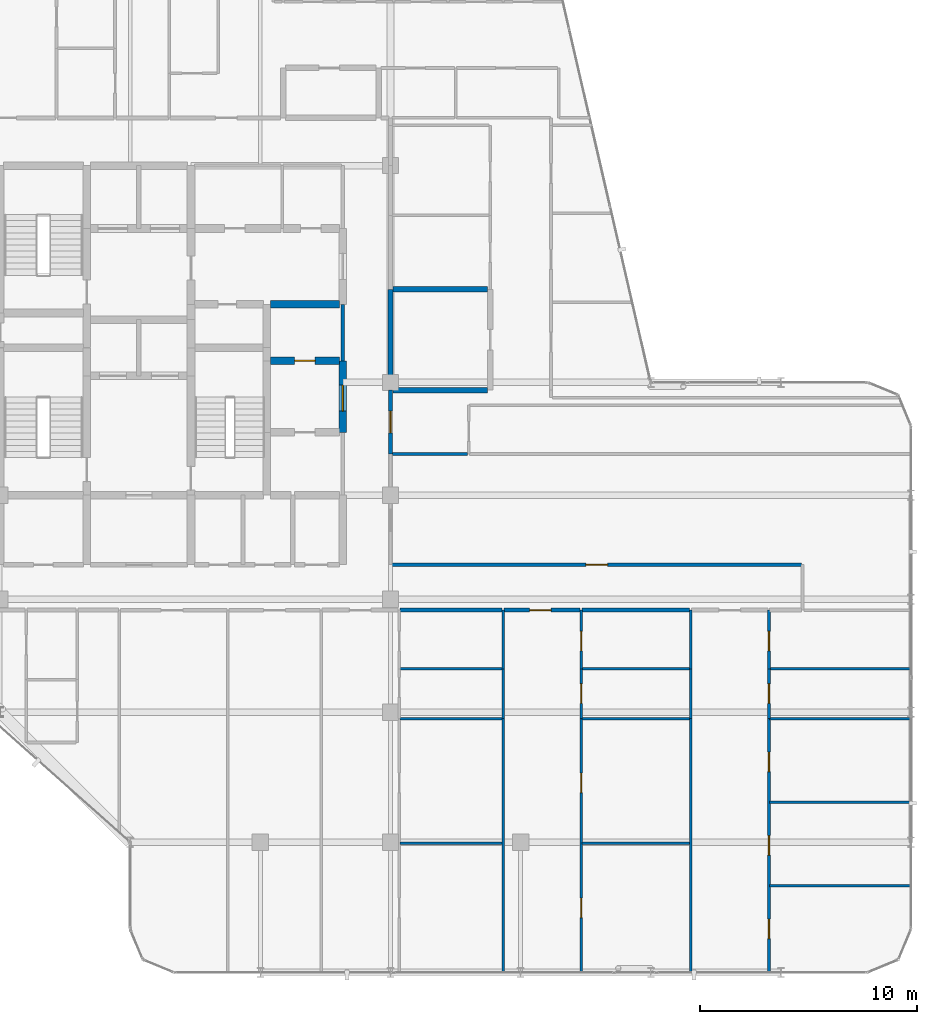
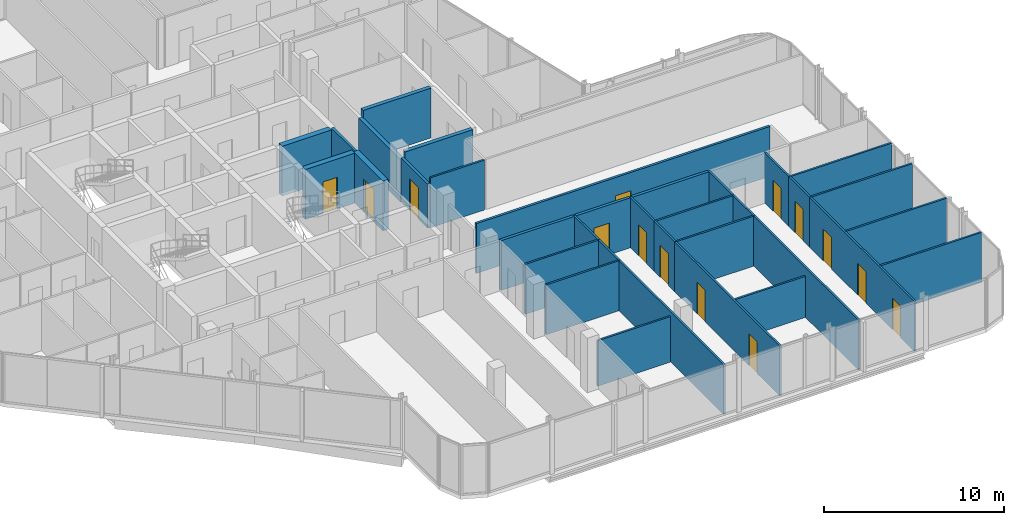
# One storey, part 25 of 29: 35 walls, 14 doors, 14 openings.
"""IFC4 building model written with IfcOpenShell, lengths in metres."""

from ifc_helpers import new_model, si_unit, direction, frame, frame_2d, origin, place, context, subcontext, project, spatial, rectangle, extrude, material, layer, layer_set, type_object, element, fill, save


model = new_model("IFC4")

# Units and contexts
model_context = context("Model", 3, precision=1e-05, world=origin(), true_north=direction((0.0, 1.0)))
body_context = subcontext(model_context, "Body", "Model", "MODEL_VIEW")
ifc_project = project(units=[si_unit("LENGTHUNIT", "METRE"), si_unit("AREAUNIT", "SQUARE_METRE"), si_unit("VOLUMEUNIT", "CUBIC_METRE"), si_unit("PLANEANGLEUNIT", "RADIAN"), si_unit("MASSUNIT", "GRAM", prefix="KILO")], contexts=[model_context])

# Site, building, storey
site_placement = place(None, origin())
site = spatial("IfcSite", under=ifc_project, at=site_placement, CompositionType="ELEMENT")
building_placement = place(site_placement, origin())
building = spatial("IfcBuilding", under=site, at=building_placement, Name="Keshet Zoharim Tower", CompositionType="ELEMENT")
storey_placement = place(building_placement, frame((0.0, 0.0, 226.5)))
storey = spatial("IfcBuildingStorey", under=building, at=storey_placement, Name="L56", CompositionType="ELEMENT", Elevation=226.5)

# Wall
ifc_material_1 = material(Name="Gypsum Plasterboard", Category="gypsum")
ifc_layer_1 = layer(ifc_material_1, 0.14990234375)
ifc_layer_set_1 = layer_set([ifc_layer_1], Name="Gypsum Plasterboard")
wall_type_1 = type_object("IfcWallType", Name="WL-CLIN-150", PredefinedType="STANDARD", material=ifc_layer_set_1)
wall_1_placement = place(storey_placement, frame((30.800048828125, 28.89990234375, 0.0), z_axis=(0.0, 0.0, 1.0), x_axis=(0.0, 1.0, 0.0)))
element("IfcWall", 1, at=wall_1_placement, inside=storey, type_object=wall_type_1, Name="L56 Interior Wall 059", PredefinedType="STANDARD", context=body_context, shape_type="SweptSolid", body=[
    extrude(rectangle(XDim=2.60009765625, YDim=0.14990234375, at=frame_2d((1.300048828125, 0.0))), origin(), (0.0, 0.0, 1.0), 3.389892578125),
])

# Wall, opening, door
wall_2_placement = place(storey_placement, frame((33.070068359375, 19.5, 0.0), z_axis=(0.0, 0.0, 1.0), x_axis=(1.0, 0.0, 0.0)))
wall_2 = element("IfcWall", 2, at=wall_2_placement, inside=storey, type_object=wall_type_1, Name="L56 Interior Wall 126", PredefinedType="STANDARD", context=body_context, shape_type="SweptSolid", body=[
    extrude(rectangle(XDim=18.869873046875, YDim=0.14990234375, at=frame_2d((9.43505859375, 0.0))), origin(), (0.0, 0.0, 1.0), 3.389892578125),
])
opening_1_placement = place(wall_2_placement, frame((8.93505859375, 0.0, 0.0)))
opening_1 = element("IfcOpeningElement", 3, at=opening_1_placement, cuts=wall_2, Name="Opening D-F310", PredefinedType="OPENING", context=body_context, shape_type="SweptSolid", body=[
    extrude(rectangle(XDim=1.0, YDim=2.14990234375, at=frame_2d((0.5, 1.074951171875))), frame((0.0, 0.0849609375, 0.0), z_axis=(0.0, -1.0, 0.0), x_axis=(1.0, 0.0, 0.0)), (0.0, 0.0, 1.0), 0.169921875),
])
ifc_material_2 = material(Name="Hardwood Timber", Category="wood")
door_type_1 = type_object("IfcDoorType", Name="DR-FD30-100", OperationType="NOTDEFINED", PredefinedType="DOOR", material=ifc_material_2)
door_1_placement = place(opening_1_placement, origin())
door_1 = element("IfcDoor", 4, at=door_1_placement, inside=storey, type_object=door_type_1, Name="L56 South East Residents Services Suite Door 1", OperationType="SINGLE_SWING_LEFT", OverallHeight=2.14990234375, OverallWidth=1.0, PredefinedType="DOOR", context=body_context, shape_type="SweptSolid", body=[
    extrude(rectangle(XDim=1.0, YDim=2.14990234375, at=frame_2d((0.5, 1.074951171875))), frame((0.0, 0.02490234375, 0.0), z_axis=(0.0, -1.0, 0.0), x_axis=(1.0, 0.0, 0.0)), (0.0, 0.0, 1.0), 0.050048828125),
])
fill(opening_1, door_1)

ifc_material_3 = material(Name="Concrete C60/75", Category="concrete")
ifc_layer_2 = layer(ifc_material_3, 0.35009765625)
ifc_layer_set_2 = layer_set([ifc_layer_2], Name="Concrete C60/75")
wall_type_2 = type_object("IfcWallType", Name="WL-CORE-350", PredefinedType="SHEAR", material=ifc_layer_set_2)
wall_3_placement = place(storey_placement, frame((30.800048828125, 25.60009765625, 0.0), z_axis=(0.0, 0.0, 1.0), x_axis=(0.0, 1.0, 0.0)))
wall_3 = element("IfcWall", 5, at=wall_3_placement, inside=storey, type_object=wall_type_2, Name="L56 Core Shear Wall 058", PredefinedType="SHEAR", context=body_context, shape_type="SweptSolid", body=[
    extrude(rectangle(XDim=3.2998046875, YDim=0.35009765625, at=frame_2d((1.64990234375, 0.0))), origin(), (0.0, 0.0, 1.0), 3.389892578125),
])
opening_2_placement = place(wall_3_placement, frame((0.97802734375, 0.0, 0.0)))
opening_2 = element("IfcOpeningElement", 6, at=opening_2_placement, cuts=wall_3, Name="Opening D-F612", PredefinedType="OPENING", context=body_context, shape_type="SweptSolid", body=[
    extrude(rectangle(XDim=1.199951171875, YDim=2.199951171875, at=frame_2d((0.60009765625, 1.10009765625))), frame((0.0, 0.18505859375, 0.0), z_axis=(0.0, -1.0, 0.0), x_axis=(1.0, 0.0, 0.0)), (0.0, 0.0, 1.0), 0.3701171875),
])
door_type_2 = type_object("IfcDoorType", Name="DR-FD60-120", OperationType="NOTDEFINED", PredefinedType="DOOR", material=ifc_material_2)
door_2_placement = place(opening_2_placement, origin())
door_2 = element("IfcDoor", 7, at=door_2_placement, inside=storey, type_object=door_type_2, Name="L56 East Lift Lobby Fire Door", OperationType="SINGLE_SWING_RIGHT", OverallHeight=2.199951171875, OverallWidth=1.199951171875, PredefinedType="DOOR", context=body_context, shape_type="SweptSolid", body=[
    extrude(rectangle(XDim=1.199951171875, YDim=2.199951171875, at=frame_2d((0.60009765625, 1.10009765625))), frame((0.0, 0.02490234375, 0.0), z_axis=(0.0, -1.0, 0.0), x_axis=(1.0, 0.0, 0.0)), (0.0, 0.0, 1.0), 0.050048828125),
])
fill(opening_2, door_2)

wall_4_placement = place(storey_placement, frame((27.4599609375, 28.89990234375, 0.0), z_axis=(0.0, 0.0, 1.0), x_axis=(1.0, 0.0, 0.0)))
wall_4 = element("IfcWall", 8, at=wall_4_placement, inside=storey, type_object=wall_type_2, Name="L56 Core Shear Wall 148", PredefinedType="SHEAR", context=body_context, shape_type="SweptSolid", body=[
    extrude(rectangle(XDim=3.179931640625, YDim=0.35009765625, at=frame_2d((1.58984375, 0.0))), origin(), (0.0, 0.0, 1.0), 3.389892578125),
])
opening_3_placement = place(wall_4_placement, frame((1.114990234375, 0.0, 0.0)))
opening_3 = element("IfcOpeningElement", 9, at=opening_3_placement, cuts=wall_4, Name="Opening D-F695", PredefinedType="OPENING", context=body_context, shape_type="SweptSolid", body=[
    extrude(rectangle(XDim=0.949951171875, YDim=2.14990234375, at=frame_2d((0.47509765625, 1.074951171875))), frame((0.0, 0.18505859375, 0.0), z_axis=(0.0, -1.0, 0.0), x_axis=(1.0, 0.0, 0.0)), (0.0, 0.0, 1.0), 0.3701171875),
])
door_type_3 = type_object("IfcDoorType", Name="DR-FD60-095", OperationType="NOTDEFINED", PredefinedType="DOOR", material=ifc_material_2)
door_3_placement = place(opening_3_placement, frame((0.949951171875, 0.0, 0.0), z_axis=(0.0, 0.0, 1.0), x_axis=(-1.0, 0.0, 0.0)))
door_3 = element("IfcDoor", 10, at=door_3_placement, inside=storey, type_object=door_type_3, Name="L56 Parcel Store Door", OperationType="SINGLE_SWING_RIGHT", OverallHeight=2.14990234375, OverallWidth=0.949951171875, PredefinedType="DOOR", context=body_context, shape_type="SweptSolid", body=[
    extrude(rectangle(XDim=0.949951171875, YDim=2.14990234375, at=frame_2d((0.47509765625, 1.074951171875))), frame((0.0, 0.02490234375, 0.0), z_axis=(0.0, -1.0, 0.0), x_axis=(1.0, 0.0, 0.0)), (0.0, 0.0, 1.0), 0.050048828125),
])
fill(opening_3, door_3)

# Wall
wall_5_placement = place(storey_placement, frame((27.4599609375, 31.5, 0.0), z_axis=(0.0, 0.0, 1.0), x_axis=(1.0, 0.0, 0.0)))
element("IfcWall", 11, at=wall_5_placement, inside=storey, type_object=wall_type_2, Name="L56 Core Shear Wall 154", PredefinedType="SHEAR", context=body_context, shape_type="SweptSolid", body=[
    extrude(rectangle(XDim=3.179931640625, YDim=0.35009765625, at=frame_2d((1.58984375, 0.0))), origin(), (0.0, 0.0, 1.0), 3.389892578125),
])

# Wall, opening, door
ifc_layer_3 = layer(ifc_material_1, 0.179931640625)
ifc_layer_set_3 = layer_set([ifc_layer_3], Name="Gypsum Plasterboard")
wall_type_3 = type_object("IfcWallType", Name="WL-CORR-180", PredefinedType="STANDARD", material=ifc_layer_set_3)
wall_6_placement = place(storey_placement, frame((33.0, 24.60009765625, 0.0), z_axis=(0.0, 0.0, 1.0), x_axis=(0.0, 1.0, 0.0)))
wall_6 = element("IfcWall", 12, at=wall_6_placement, inside=storey, type_object=wall_type_3, Name="L56 Interior Wall 064", PredefinedType="STANDARD", context=body_context, shape_type="SweptSolid", body=[
    extrude(rectangle(XDim=2.949951171875, YDim=0.179931640625, at=frame_2d((1.47509765625, 0.0))), origin(), (0.0, 0.0, 1.0), 2.989990234375),
])
opening_4_placement = place(wall_6_placement, frame((0.97509765625, 0.0, 0.0)))
opening_4 = element("IfcOpeningElement", 13, at=opening_4_placement, cuts=wall_6, Name="Opening D-F310", PredefinedType="OPENING", context=body_context, shape_type="SweptSolid", body=[
    extrude(rectangle(XDim=1.0, YDim=2.14990234375, at=frame_2d((0.5, 1.074951171875))), frame((0.0, 0.10009765625, 0.0), z_axis=(0.0, -1.0, 0.0), x_axis=(1.0, 0.0, 0.0)), (0.0, 0.0, 1.0), 0.199951171875),
])
door_4_placement = place(opening_4_placement, origin())
door_4 = element("IfcDoor", 14, at=door_4_placement, inside=storey, type_object=door_type_1, Name="Apartment 5610 Entrance Door", OperationType="SINGLE_SWING_LEFT", OverallHeight=2.14990234375, OverallWidth=1.0, PredefinedType="DOOR", context=body_context, shape_type="SweptSolid", body=[
    extrude(rectangle(XDim=1.0, YDim=2.14990234375, at=frame_2d((0.5, 1.074951171875))), frame((0.0, 0.02490234375, 0.0), z_axis=(0.0, -1.0, 0.0), x_axis=(1.0, 0.0, 0.0)), (0.0, 0.0, 1.0), 0.050048828125),
])
fill(opening_4, door_4)

# Wall
wall_7_placement = place(storey_placement, frame((33.445068359375, 17.39990234375, 0.0), z_axis=(0.0, 0.0, 1.0), x_axis=(1.0, 0.0, 0.0)))
element("IfcWall", 15, at=wall_7_placement, inside=storey, type_object=wall_type_3, Name="L56 Interior Wall 116", PredefinedType="STANDARD", context=body_context, shape_type="SweptSolid", body=[
    extrude(rectangle(XDim=4.68994140625, YDim=0.179931640625, at=frame_2d((2.344970703125, 0.0))), origin(), (0.0, 0.0, 1.0), 3.389892578125),
])

# Wall, opening, door
wall_8_placement = place(storey_placement, frame((38.22509765625, 17.39990234375, 0.0), z_axis=(0.0, 0.0, 1.0), x_axis=(1.0, 0.0, 0.0)))
wall_8 = element("IfcWall", 16, at=wall_8_placement, inside=storey, type_object=wall_type_3, Name="L56 Interior Wall 117", PredefinedType="STANDARD", context=body_context, shape_type="SweptSolid", body=[
    extrude(rectangle(XDim=3.510009765625, YDim=0.179931640625, at=frame_2d((1.7548828125, 0.0))), origin(), (0.0, 0.0, 1.0), 3.389892578125),
])
opening_5_placement = place(wall_8_placement, frame((1.18505859375, 0.0, 0.0)))
opening_5 = element("IfcOpeningElement", 17, at=opening_5_placement, cuts=wall_8, Name="Opening D-F310", PredefinedType="OPENING", context=body_context, shape_type="SweptSolid", body=[
    extrude(rectangle(XDim=1.0, YDim=2.14990234375, at=frame_2d((0.5, 1.074951171875))), frame((0.0, 0.10009765625, 0.0), z_axis=(0.0, -1.0, 0.0), x_axis=(1.0, 0.0, 0.0)), (0.0, 0.0, 1.0), 0.199951171875),
])
door_5_placement = place(opening_5_placement, origin())
door_5 = element("IfcDoor", 18, at=door_5_placement, inside=storey, type_object=door_type_1, Name="Apartment 5603 Entrance Door", OperationType="SINGLE_SWING_RIGHT", OverallHeight=2.14990234375, OverallWidth=1.0, PredefinedType="DOOR", context=body_context, shape_type="SweptSolid", body=[
    extrude(rectangle(XDim=1.0, YDim=2.14990234375, at=frame_2d((0.5, 1.074951171875))), frame((0.0, 0.02490234375, 0.0), z_axis=(0.0, -1.0, 0.0), x_axis=(1.0, 0.0, 0.0)), (0.0, 0.0, 1.0), 0.050048828125),
])
fill(opening_5, door_5)

# Walls
wall_9_placement = place(storey_placement, frame((41.824951171875, 17.39990234375, 0.0), z_axis=(0.0, 0.0, 1.0), x_axis=(1.0, 0.0, 0.0)))
element("IfcWall", 19, at=wall_9_placement, inside=storey, type_object=wall_type_3, Name="L56 Interior Wall 118", PredefinedType="STANDARD", context=body_context, shape_type="SweptSolid", body=[
    extrude(rectangle(XDim=4.969970703125, YDim=0.179931640625, at=frame_2d((2.48486328125, 0.0))), origin(), (0.0, 0.0, 1.0), 3.389892578125),
])
ifc_material_4 = material(Name="Concrete C50/60", Category="concrete")
ifc_layer_4 = layer(ifc_material_4, 0.25)
ifc_layer_set_4 = layer_set([ifc_layer_4], Name="Concrete C50/60")
wall_type_4 = type_object("IfcWallType", Name="WL-MAMAD-250", PredefinedType="STANDARD", material=ifc_layer_set_4)
wall_10_placement = place(storey_placement, frame((33.0, 27.550048828125, 0.0), z_axis=(0.0, 0.0, 1.0), x_axis=(0.0, 1.0, 0.0)))
element("IfcWall", 20, at=wall_10_placement, inside=storey, type_object=wall_type_4, Name="L56 Interior Wall 065", PredefinedType="STANDARD", context=body_context, shape_type="SweptSolid", body=[
    extrude(rectangle(XDim=4.635986328125, YDim=0.25, at=frame_2d((2.31787109375, 0.0))), origin(), (0.0, 0.0, 1.0), 2.889892578125),
])
for number, where, z_axis, x_axis, name in (
    (21, (33.110107421875, 27.550048828125, 0.0), (0.0, 0.0, 1.0), (1.0, 0.0, 0.0), "L56 Interior Wall 143"),
    (22, (33.110107421875, 32.199951171875, 0.0), (0.0, 0.0, 1.0), (1.0, 0.0, 0.0), "L56 Interior Wall 156"),
):
    element("IfcWall", number, at=place(storey_placement, frame(where, z_axis=z_axis, x_axis=x_axis)), inside=storey, type_object=wall_type_4, Name=name, PredefinedType="STANDARD", context=body_context, shape_type="SweptSolid", body=[
        extrude(rectangle(XDim=4.35986328125, YDim=0.25, at=frame_2d((2.179931640625, 0.0))), origin(), (0.0, 0.0, 1.0), 3.389892578125),
    ])
ifc_layer_5 = layer(ifc_material_1, 0.1201171875)
ifc_layer_set_5 = layer_set([ifc_layer_5], Name="Gypsum Plasterboard")
wall_type_5 = type_object("IfcWallType", Name="WL-PART-120", PredefinedType="PARTITIONING", material=ifc_layer_set_5)
wall_11_placement = place(storey_placement, frame((38.199951171875, 0.7099609375, 0.0), z_axis=(0.0, 0.0, 1.0), x_axis=(0.0, 1.0, 0.0)))
element("IfcWall", 23, at=wall_11_placement, inside=storey, type_object=wall_type_5, Name="L56 Interior Wall 079", PredefinedType="PARTITIONING", context=body_context, shape_type="SweptSolid", body=[
    extrude(rectangle(XDim=11.68994140625, YDim=0.1201171875, at=frame_2d((5.844970703125, 0.0))), origin(), (0.0, 0.0, 1.0), 3.389892578125),
])
wall_12_placement = place(storey_placement, frame((38.199951171875, 12.39990234375, 0.0), z_axis=(0.0, 0.0, 1.0), x_axis=(0.0, 1.0, 0.0)))
element("IfcWall", 24, at=wall_12_placement, inside=storey, type_object=wall_type_5, Name="L56 Interior Wall 080", PredefinedType="PARTITIONING", context=body_context, shape_type="SweptSolid", body=[
    extrude(rectangle(XDim=2.300048828125, YDim=0.1201171875, at=frame_2d((1.14990234375, 0.0))), origin(), (0.0, 0.0, 1.0), 3.389892578125),
])

# Wall, openings, doors
wall_13_placement = place(storey_placement, frame((41.800048828125, 0.7099609375, 0.0), z_axis=(0.0, 0.0, 1.0), x_axis=(0.0, 1.0, 0.0)))
wall_13 = element("IfcWall", 25, at=wall_13_placement, inside=storey, type_object=wall_type_5, Name="L56 Interior Wall 087", PredefinedType="PARTITIONING", context=body_context, shape_type="SweptSolid", body=[
    extrude(rectangle(XDim=11.68994140625, YDim=0.1201171875, at=frame_2d((5.844970703125, 0.0))), origin(), (0.0, 0.0, 1.0), 3.389892578125),
])
opening_6_placement = place(wall_13_placement, frame((2.513916015625, 0.0, 0.0)))
opening_6 = element("IfcOpeningElement", 26, at=opening_6_placement, cuts=wall_13, Name="Opening D-IN90", PredefinedType="OPENING", context=body_context, shape_type="SweptSolid", body=[
    extrude(rectangle(XDim=0.89990234375, YDim=2.14990234375, at=frame_2d((0.449951171875, 1.074951171875))), frame((0.0, 0.070068359375, 0.0), z_axis=(0.0, -1.0, 0.0), x_axis=(1.0, 0.0, 0.0)), (0.0, 0.0, 1.0), 0.14013671875),
])
opening_7_placement = place(wall_13_placement, frame((8.280029296875, 0.0, 0.0)))
opening_7 = element("IfcOpeningElement", 27, at=opening_7_placement, cuts=wall_13, Name="Opening D-IN90", PredefinedType="OPENING", context=body_context, shape_type="SweptSolid", body=[
    extrude(rectangle(XDim=0.89990234375, YDim=2.14990234375, at=frame_2d((0.449951171875, 1.074951171875))), frame((0.0, 0.070068359375, 0.0), z_axis=(0.0, -1.0, 0.0), x_axis=(1.0, 0.0, 0.0)), (0.0, 0.0, 1.0), 0.14013671875),
])
door_type_4 = type_object("IfcDoorType", Name="DR-INT-090", OperationType="NOTDEFINED", PredefinedType="DOOR", material=ifc_material_2)
door_6_placement = place(opening_6_placement, origin())
door_6 = element("IfcDoor", 28, at=door_6_placement, inside=storey, type_object=door_type_4, Name="Apartment 5603 Bedroom 1 Door", OperationType="SINGLE_SWING_LEFT", OverallHeight=2.14990234375, OverallWidth=0.89990234375, PredefinedType="DOOR", context=body_context, shape_type="SweptSolid", body=[
    extrude(rectangle(XDim=0.89990234375, YDim=2.14990234375, at=frame_2d((0.449951171875, 1.074951171875))), frame((0.0, 0.02490234375, 0.0), z_axis=(0.0, -1.0, 0.0), x_axis=(1.0, 0.0, 0.0)), (0.0, 0.0, 1.0), 0.050048828125),
])
fill(opening_6, door_6)
door_7_placement = place(opening_7_placement, origin())
door_7 = element("IfcDoor", 29, at=door_7_placement, inside=storey, type_object=door_type_4, Name="Apartment 5603 Bedroom 2 Door", OperationType="SINGLE_SWING_RIGHT", OverallHeight=2.14990234375, OverallWidth=0.89990234375, PredefinedType="DOOR", context=body_context, shape_type="SweptSolid", body=[
    extrude(rectangle(XDim=0.89990234375, YDim=2.14990234375, at=frame_2d((0.449951171875, 1.074951171875))), frame((0.0, 0.02490234375, 0.0), z_axis=(0.0, -1.0, 0.0), x_axis=(1.0, 0.0, 0.0)), (0.0, 0.0, 1.0), 0.050048828125),
])
fill(opening_7, door_7)

# Wall, opening, door
wall_14_placement = place(storey_placement, frame((41.800048828125, 12.39990234375, 0.0), z_axis=(0.0, 0.0, 1.0), x_axis=(0.0, 1.0, 0.0)))
wall_14 = element("IfcWall", 30, at=wall_14_placement, inside=storey, type_object=wall_type_5, Name="L56 Interior Wall 088", PredefinedType="PARTITIONING", context=body_context, shape_type="SweptSolid", body=[
    extrude(rectangle(XDim=2.300048828125, YDim=0.1201171875, at=frame_2d((1.14990234375, 0.0))), origin(), (0.0, 0.0, 1.0), 3.389892578125),
])
opening_8_placement = place(wall_14_placement, frame((0.699951171875, 0.0, 0.0)))
opening_8 = element("IfcOpeningElement", 31, at=opening_8_placement, cuts=wall_14, Name="Opening D-IN90", PredefinedType="OPENING", context=body_context, shape_type="SweptSolid", body=[
    extrude(rectangle(XDim=0.89990234375, YDim=2.14990234375, at=frame_2d((0.449951171875, 1.074951171875))), frame((0.0, 0.070068359375, 0.0), z_axis=(0.0, -1.0, 0.0), x_axis=(1.0, 0.0, 0.0)), (0.0, 0.0, 1.0), 0.14013671875),
])
door_8_placement = place(opening_8_placement, origin())
door_8 = element("IfcDoor", 32, at=door_8_placement, inside=storey, type_object=door_type_4, Name="Apartment 5603 Kitchen Door", OperationType="SINGLE_SWING_LEFT", OverallHeight=2.14990234375, OverallWidth=0.89990234375, PredefinedType="DOOR", context=body_context, shape_type="SweptSolid", body=[
    extrude(rectangle(XDim=0.89990234375, YDim=2.14990234375, at=frame_2d((0.449951171875, 1.074951171875))), frame((0.0, 0.02490234375, 0.0), z_axis=(0.0, -1.0, 0.0), x_axis=(1.0, 0.0, 0.0)), (0.0, 0.0, 1.0), 0.050048828125),
])
fill(opening_8, door_8)

# Walls
wall_15_placement = place(storey_placement, frame((46.85009765625, 0.7099609375, 0.0), z_axis=(0.0, 0.0, 1.0), x_axis=(0.0, 1.0, 0.0)))
element("IfcWall", 33, at=wall_15_placement, inside=storey, type_object=wall_type_5, Name="L56 Interior Wall 090", PredefinedType="PARTITIONING", context=body_context, shape_type="SweptSolid", body=[
    extrude(rectangle(XDim=11.68994140625, YDim=0.1201171875, at=frame_2d((5.844970703125, 0.0))), origin(), (0.0, 0.0, 1.0), 3.389892578125),
])
wall_16_placement = place(storey_placement, frame((46.85009765625, 12.39990234375, 0.0), z_axis=(0.0, 0.0, 1.0), x_axis=(0.0, 1.0, 0.0)))
element("IfcWall", 34, at=wall_16_placement, inside=storey, type_object=wall_type_5, Name="L56 Interior Wall 091", PredefinedType="PARTITIONING", context=body_context, shape_type="SweptSolid", body=[
    extrude(rectangle(XDim=2.300048828125, YDim=0.1201171875, at=frame_2d((1.14990234375, 0.0))), origin(), (0.0, 0.0, 1.0), 3.389892578125),
])

# Wall, openings, doors
wall_17_placement = place(storey_placement, frame((50.449951171875, 0.7099609375, 0.0), z_axis=(0.0, 0.0, 1.0), x_axis=(0.0, 1.0, 0.0)))
wall_17 = element("IfcWall", 35, at=wall_17_placement, inside=storey, type_object=wall_type_5, Name="L56 Interior Wall 093", PredefinedType="PARTITIONING", context=body_context, shape_type="SweptSolid", body=[
    extrude(rectangle(XDim=11.68994140625, YDim=0.1201171875, at=frame_2d((5.844970703125, 0.0))), origin(), (0.0, 0.0, 1.0), 3.389892578125),
])
opening_9_placement = place(wall_17_placement, frame((1.551025390625, 0.0, 0.0)))
opening_9 = element("IfcOpeningElement", 36, at=opening_9_placement, cuts=wall_17, Name="Opening D-IN90", PredefinedType="OPENING", context=body_context, shape_type="SweptSolid", body=[
    extrude(rectangle(XDim=0.89990234375, YDim=2.14990234375, at=frame_2d((0.449951171875, 1.074951171875))), frame((0.0, 0.070068359375, 0.0), z_axis=(0.0, -1.0, 0.0), x_axis=(1.0, 0.0, 0.0)), (0.0, 0.0, 1.0), 0.14013671875),
])
opening_10_placement = place(wall_17_placement, frame((5.39794921875, 0.0, 0.0)))
opening_10 = element("IfcOpeningElement", 37, at=opening_10_placement, cuts=wall_17, Name="Opening D-IN90", PredefinedType="OPENING", context=body_context, shape_type="SweptSolid", body=[
    extrude(rectangle(XDim=0.89990234375, YDim=2.14990234375, at=frame_2d((0.449951171875, 1.074951171875))), frame((0.0, 0.070068359375, 0.0), z_axis=(0.0, -1.0, 0.0), x_axis=(1.0, 0.0, 0.0)), (0.0, 0.0, 1.0), 0.14013671875),
])
opening_11_placement = place(wall_17_placement, frame((9.241943359375, 0.0, 0.0)))
opening_11 = element("IfcOpeningElement", 38, at=opening_11_placement, cuts=wall_17, Name="Opening D-IN90", PredefinedType="OPENING", context=body_context, shape_type="SweptSolid", body=[
    extrude(rectangle(XDim=0.89990234375, YDim=2.14990234375, at=frame_2d((0.449951171875, 1.074951171875))), frame((0.0, 0.070068359375, 0.0), z_axis=(0.0, -1.0, 0.0), x_axis=(1.0, 0.0, 0.0)), (0.0, 0.0, 1.0), 0.14013671875),
])
door_9_placement = place(opening_9_placement, origin())
door_9 = element("IfcDoor", 39, at=door_9_placement, inside=storey, type_object=door_type_4, Name="Apartment 5604 Bedroom 1 Door", OperationType="SINGLE_SWING_LEFT", OverallHeight=2.14990234375, OverallWidth=0.89990234375, PredefinedType="DOOR", context=body_context, shape_type="SweptSolid", body=[
    extrude(rectangle(XDim=0.89990234375, YDim=2.14990234375, at=frame_2d((0.449951171875, 1.074951171875))), frame((0.0, 0.02490234375, 0.0), z_axis=(0.0, -1.0, 0.0), x_axis=(1.0, 0.0, 0.0)), (0.0, 0.0, 1.0), 0.050048828125),
])
fill(opening_9, door_9)
door_10_placement = place(opening_10_placement, origin())
door_10 = element("IfcDoor", 40, at=door_10_placement, inside=storey, type_object=door_type_4, Name="Apartment 5604 Bedroom 2 Door", OperationType="SINGLE_SWING_RIGHT", OverallHeight=2.14990234375, OverallWidth=0.89990234375, PredefinedType="DOOR", context=body_context, shape_type="SweptSolid", body=[
    extrude(rectangle(XDim=0.89990234375, YDim=2.14990234375, at=frame_2d((0.449951171875, 1.074951171875))), frame((0.0, 0.02490234375, 0.0), z_axis=(0.0, -1.0, 0.0), x_axis=(1.0, 0.0, 0.0)), (0.0, 0.0, 1.0), 0.050048828125),
])
fill(opening_10, door_10)
door_11_placement = place(opening_11_placement, origin())
door_11 = element("IfcDoor", 41, at=door_11_placement, inside=storey, type_object=door_type_4, Name="Apartment 5604 Bedroom 3 Door", OperationType="SINGLE_SWING_LEFT", OverallHeight=2.14990234375, OverallWidth=0.89990234375, PredefinedType="DOOR", context=body_context, shape_type="SweptSolid", body=[
    extrude(rectangle(XDim=0.89990234375, YDim=2.14990234375, at=frame_2d((0.449951171875, 1.074951171875))), frame((0.0, 0.02490234375, 0.0), z_axis=(0.0, -1.0, 0.0), x_axis=(1.0, 0.0, 0.0)), (0.0, 0.0, 1.0), 0.050048828125),
])
fill(opening_11, door_11)

# Wall, opening, door
wall_18_placement = place(storey_placement, frame((50.449951171875, 12.39990234375, 0.0), z_axis=(0.0, 0.0, 1.0), x_axis=(0.0, 1.0, 0.0)))
wall_18 = element("IfcWall", 42, at=wall_18_placement, inside=storey, type_object=wall_type_5, Name="L56 Interior Wall 094", PredefinedType="PARTITIONING", context=body_context, shape_type="SweptSolid", body=[
    extrude(rectangle(XDim=2.300048828125, YDim=0.1201171875, at=frame_2d((1.14990234375, 0.0))), origin(), (0.0, 0.0, 1.0), 3.389892578125),
])
opening_12_placement = place(wall_18_placement, frame((0.699951171875, 0.0, 0.0)))
opening_12 = element("IfcOpeningElement", 43, at=opening_12_placement, cuts=wall_18, Name="Opening D-IN90", PredefinedType="OPENING", context=body_context, shape_type="SweptSolid", body=[
    extrude(rectangle(XDim=0.89990234375, YDim=2.14990234375, at=frame_2d((0.449951171875, 1.074951171875))), frame((0.0, 0.070068359375, 0.0), z_axis=(0.0, -1.0, 0.0), x_axis=(1.0, 0.0, 0.0)), (0.0, 0.0, 1.0), 0.14013671875),
])
door_12_placement = place(opening_12_placement, origin())
door_12 = element("IfcDoor", 44, at=door_12_placement, inside=storey, type_object=door_type_4, Name="Apartment 5604 Kitchen Door", OperationType="SINGLE_SWING_RIGHT", OverallHeight=2.14990234375, OverallWidth=0.89990234375, PredefinedType="DOOR", context=body_context, shape_type="SweptSolid", body=[
    extrude(rectangle(XDim=0.89990234375, YDim=2.14990234375, at=frame_2d((0.449951171875, 1.074951171875))), frame((0.0, 0.02490234375, 0.0), z_axis=(0.0, -1.0, 0.0), x_axis=(1.0, 0.0, 0.0)), (0.0, 0.0, 1.0), 0.050048828125),
])
fill(opening_12, door_12)

# Walls
wall_19_placement = place(storey_placement, frame((50.485107421875, 4.699951171875, 0.0), z_axis=(0.0, 0.0, 1.0), x_axis=(1.0, 0.0, 0.0)))
element("IfcWall", 45, at=wall_19_placement, inside=storey, type_object=wall_type_5, Name="L56 Interior Wall 097", PredefinedType="PARTITIONING", context=body_context, shape_type="SweptSolid", body=[
    extrude(rectangle(XDim=6.5048828125, YDim=0.1201171875, at=frame_2d((3.25244140625, 0.0))), origin(), (0.0, 0.0, 1.0), 3.389892578125),
])
wall_20_placement = place(storey_placement, frame((33.445068359375, 6.64990234375, 0.0), z_axis=(0.0, 0.0, 1.0), x_axis=(1.0, 0.0, 0.0)))
element("IfcWall", 46, at=wall_20_placement, inside=storey, type_object=wall_type_5, Name="L56 Interior Wall 098", PredefinedType="PARTITIONING", context=body_context, shape_type="SweptSolid", body=[
    extrude(rectangle(XDim=4.68994140625, YDim=0.1201171875, at=frame_2d((2.344970703125, 0.0))), origin(), (0.0, 0.0, 1.0), 3.090087890625),
])
wall_21_placement = place(storey_placement, frame((41.824951171875, 6.64990234375, 0.0), z_axis=(0.0, 0.0, 1.0), x_axis=(1.0, 0.0, 0.0)))
element("IfcWall", 47, at=wall_21_placement, inside=storey, type_object=wall_type_5, Name="L56 Interior Wall 099", PredefinedType="PARTITIONING", context=body_context, shape_type="SweptSolid", body=[
    extrude(rectangle(XDim=4.969970703125, YDim=0.1201171875, at=frame_2d((2.48486328125, 0.0))), origin(), (0.0, 0.0, 1.0), 2.7900390625),
])
wall_22_placement = place(storey_placement, frame((50.485107421875, 8.550048828125, 0.0), z_axis=(0.0, 0.0, 1.0), x_axis=(1.0, 0.0, 0.0)))
element("IfcWall", 48, at=wall_22_placement, inside=storey, type_object=wall_type_5, Name="L56 Interior Wall 100", PredefinedType="PARTITIONING", context=body_context, shape_type="SweptSolid", body=[
    extrude(rectangle(XDim=6.5048828125, YDim=0.1201171875, at=frame_2d((3.25244140625, 0.0))), origin(), (0.0, 0.0, 1.0), 3.389892578125),
])
wall_23_placement = place(storey_placement, frame((33.445068359375, 12.39990234375, 0.0), z_axis=(0.0, 0.0, 1.0), x_axis=(1.0, 0.0, 0.0)))
element("IfcWall", 49, at=wall_23_placement, inside=storey, type_object=wall_type_5, Name="L56 Interior Wall 102", PredefinedType="PARTITIONING", context=body_context, shape_type="SweptSolid", body=[
    extrude(rectangle(XDim=4.68994140625, YDim=0.1201171875, at=frame_2d((2.344970703125, 0.0))), origin(), (0.0, 0.0, 1.0), 3.389892578125),
])
wall_24_placement = place(storey_placement, frame((41.824951171875, 12.39990234375, 0.0), z_axis=(0.0, 0.0, 1.0), x_axis=(1.0, 0.0, 0.0)))
element("IfcWall", 50, at=wall_24_placement, inside=storey, type_object=wall_type_5, Name="L56 Interior Wall 103", PredefinedType="PARTITIONING", context=body_context, shape_type="SweptSolid", body=[
    extrude(rectangle(XDim=4.969970703125, YDim=0.1201171875, at=frame_2d((2.48486328125, 0.0))), origin(), (0.0, 0.0, 1.0), 3.389892578125),
])
wall_25_placement = place(storey_placement, frame((50.485107421875, 12.39990234375, 0.0), z_axis=(0.0, 0.0, 1.0), x_axis=(1.0, 0.0, 0.0)))
element("IfcWall", 51, at=wall_25_placement, inside=storey, type_object=wall_type_5, Name="L56 Interior Wall 104", PredefinedType="PARTITIONING", context=body_context, shape_type="SweptSolid", body=[
    extrude(rectangle(XDim=6.5048828125, YDim=0.1201171875, at=frame_2d((3.25244140625, 0.0))), origin(), (0.0, 0.0, 1.0), 3.389892578125),
])
wall_26_placement = place(storey_placement, frame((33.0849609375, 24.60009765625, 0.0), z_axis=(0.0, 0.0, 1.0), x_axis=(1.0, 0.0, 0.0)))
element("IfcWall", 52, at=wall_26_placement, inside=storey, type_object=wall_type_5, Name="L56 Interior Wall 135", PredefinedType="PARTITIONING", context=body_context, shape_type="SweptSolid", body=[
    extrude(rectangle(XDim=3.469970703125, YDim=0.1201171875, at=frame_2d((1.73486328125, 0.0))), origin(), (0.0, 0.0, 1.0), 3.389892578125),
])
ifc_layer_6 = layer(ifc_material_1, 0.1201171875)
ifc_layer_set_6 = layer_set([ifc_layer_6], Name="Gypsum Plasterboard")
wall_type_6 = type_object("IfcWallType", Name="WL-WET-120", PredefinedType="PARTITIONING", material=ifc_layer_set_6)
wall_27_placement = place(storey_placement, frame((38.199951171875, 14.699951171875, 0.0), z_axis=(0.0, 0.0, 1.0), x_axis=(0.0, 1.0, 0.0)))
element("IfcWall", 53, at=wall_27_placement, inside=storey, type_object=wall_type_6, Name="L56 Interior Wall 081", PredefinedType="PARTITIONING", context=body_context, shape_type="SweptSolid", body=[
    extrude(rectangle(XDim=2.699951171875, YDim=0.1201171875, at=frame_2d((1.35009765625, 0.0))), origin(), (0.0, 0.0, 1.0), 3.389892578125),
])

# Wall, opening, door
wall_28_placement = place(storey_placement, frame((41.800048828125, 14.699951171875, 0.0), z_axis=(0.0, 0.0, 1.0), x_axis=(0.0, 1.0, 0.0)))
wall_28 = element("IfcWall", 54, at=wall_28_placement, inside=storey, type_object=wall_type_6, Name="L56 Interior Wall 089", PredefinedType="PARTITIONING", context=body_context, shape_type="SweptSolid", body=[
    extrude(rectangle(XDim=2.699951171875, YDim=0.1201171875, at=frame_2d((1.35009765625, 0.0))), origin(), (0.0, 0.0, 1.0), 3.389892578125),
])
opening_13_placement = place(wall_28_placement, frame((0.827880859375, 0.0, 0.0)))
opening_13 = element("IfcOpeningElement", 55, at=opening_13_placement, cuts=wall_28, Name="Opening D-WT90", PredefinedType="OPENING", context=body_context, shape_type="SweptSolid", body=[
    extrude(rectangle(XDim=0.89990234375, YDim=2.10009765625, at=frame_2d((0.449951171875, 1.050048828125))), frame((0.0, 0.070068359375, 0.0), z_axis=(0.0, -1.0, 0.0), x_axis=(1.0, 0.0, 0.0)), (0.0, 0.0, 1.0), 0.14013671875),
])
door_type_5 = type_object("IfcDoorType", Name="DR-WET-090", OperationType="NOTDEFINED", PredefinedType="DOOR", material=ifc_material_2)
door_13_placement = place(opening_13_placement, origin())
door_13 = element("IfcDoor", 56, at=door_13_placement, inside=storey, type_object=door_type_5, Name="Apartment 5603 Bathroom Door", OperationType="SINGLE_SWING_RIGHT", OverallHeight=2.10009765625, OverallWidth=0.89990234375, PredefinedType="DOOR", context=body_context, shape_type="SweptSolid", body=[
    extrude(rectangle(XDim=0.89990234375, YDim=2.10009765625, at=frame_2d((0.449951171875, 1.050048828125))), frame((0.0, 0.02490234375, 0.0), z_axis=(0.0, -1.0, 0.0), x_axis=(1.0, 0.0, 0.0)), (0.0, 0.0, 1.0), 0.050048828125),
])
fill(opening_13, door_13)

# Wall
wall_29_placement = place(storey_placement, frame((46.85009765625, 14.699951171875, 0.0), z_axis=(0.0, 0.0, 1.0), x_axis=(0.0, 1.0, 0.0)))
element("IfcWall", 57, at=wall_29_placement, inside=storey, type_object=wall_type_6, Name="L56 Interior Wall 092", PredefinedType="PARTITIONING", context=body_context, shape_type="SweptSolid", body=[
    extrude(rectangle(XDim=2.699951171875, YDim=0.1201171875, at=frame_2d((1.35009765625, 0.0))), origin(), (0.0, 0.0, 1.0), 3.389892578125),
])

# Wall, opening, door
wall_30_placement = place(storey_placement, frame((50.449951171875, 14.699951171875, 0.0), z_axis=(0.0, 0.0, 1.0), x_axis=(0.0, 1.0, 0.0)))
wall_30 = element("IfcWall", 58, at=wall_30_placement, inside=storey, type_object=wall_type_6, Name="L56 Interior Wall 095", PredefinedType="PARTITIONING", context=body_context, shape_type="SweptSolid", body=[
    extrude(rectangle(XDim=2.699951171875, YDim=0.1201171875, at=frame_2d((1.35009765625, 0.0))), origin(), (0.0, 0.0, 1.0), 3.389892578125),
])
opening_14_placement = place(wall_30_placement, frame((0.827880859375, 0.0, 0.0)))
opening_14 = element("IfcOpeningElement", 59, at=opening_14_placement, cuts=wall_30, Name="Opening D-WT90", PredefinedType="OPENING", context=body_context, shape_type="SweptSolid", body=[
    extrude(rectangle(XDim=0.89990234375, YDim=2.10009765625, at=frame_2d((0.449951171875, 1.050048828125))), frame((0.0, 0.070068359375, 0.0), z_axis=(0.0, -1.0, 0.0), x_axis=(1.0, 0.0, 0.0)), (0.0, 0.0, 1.0), 0.14013671875),
])
door_14_placement = place(opening_14_placement, origin())
door_14 = element("IfcDoor", 60, at=door_14_placement, inside=storey, type_object=door_type_5, Name="Apartment 5604 Bathroom Door", OperationType="SINGLE_SWING_LEFT", OverallHeight=2.10009765625, OverallWidth=0.89990234375, PredefinedType="DOOR", context=body_context, shape_type="SweptSolid", body=[
    extrude(rectangle(XDim=0.89990234375, YDim=2.10009765625, at=frame_2d((0.449951171875, 1.050048828125))), frame((0.0, 0.02490234375, 0.0), z_axis=(0.0, -1.0, 0.0), x_axis=(1.0, 0.0, 0.0)), (0.0, 0.0, 1.0), 0.050048828125),
])
fill(opening_14, door_14)

# Walls
wall_31_placement = place(storey_placement, frame((33.445068359375, 14.699951171875, 0.0), z_axis=(0.0, 0.0, 1.0), x_axis=(1.0, 0.0, 0.0)))
element("IfcWall", 61, at=wall_31_placement, inside=storey, type_object=wall_type_6, Name="L56 Interior Wall 106", PredefinedType="PARTITIONING", context=body_context, shape_type="SweptSolid", body=[
    extrude(rectangle(XDim=4.68994140625, YDim=0.1201171875, at=frame_2d((2.344970703125, 0.0))), origin(), (0.0, 0.0, 1.0), 3.389892578125),
])
wall_32_placement = place(storey_placement, frame((41.824951171875, 14.699951171875, 0.0), z_axis=(0.0, 0.0, 1.0), x_axis=(1.0, 0.0, 0.0)))
element("IfcWall", 62, at=wall_32_placement, inside=storey, type_object=wall_type_6, Name="L56 Interior Wall 107", PredefinedType="PARTITIONING", context=body_context, shape_type="SweptSolid", body=[
    extrude(rectangle(XDim=4.969970703125, YDim=0.1201171875, at=frame_2d((2.48486328125, 0.0))), origin(), (0.0, 0.0, 1.0), 3.389892578125),
])
wall_33_placement = place(storey_placement, frame((50.485107421875, 14.699951171875, 0.0), z_axis=(0.0, 0.0, 1.0), x_axis=(1.0, 0.0, 0.0)))
element("IfcWall", 63, at=wall_33_placement, inside=storey, type_object=wall_type_6, Name="L56 Interior Wall 108", PredefinedType="PARTITIONING", context=body_context, shape_type="SweptSolid", body=[
    extrude(rectangle(XDim=6.5048828125, YDim=0.1201171875, at=frame_2d((3.25244140625, 0.0))), origin(), (0.0, 0.0, 1.0), 3.389892578125),
])

save(model, "model.ifc")
